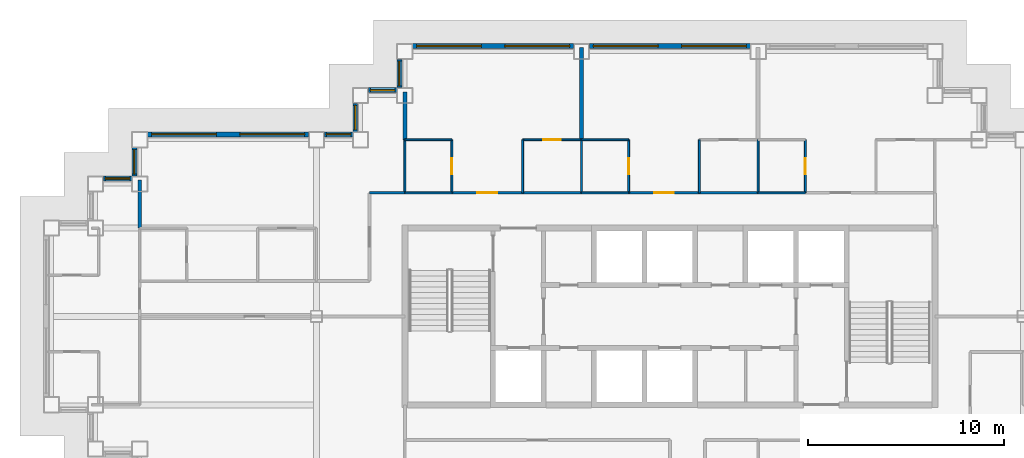
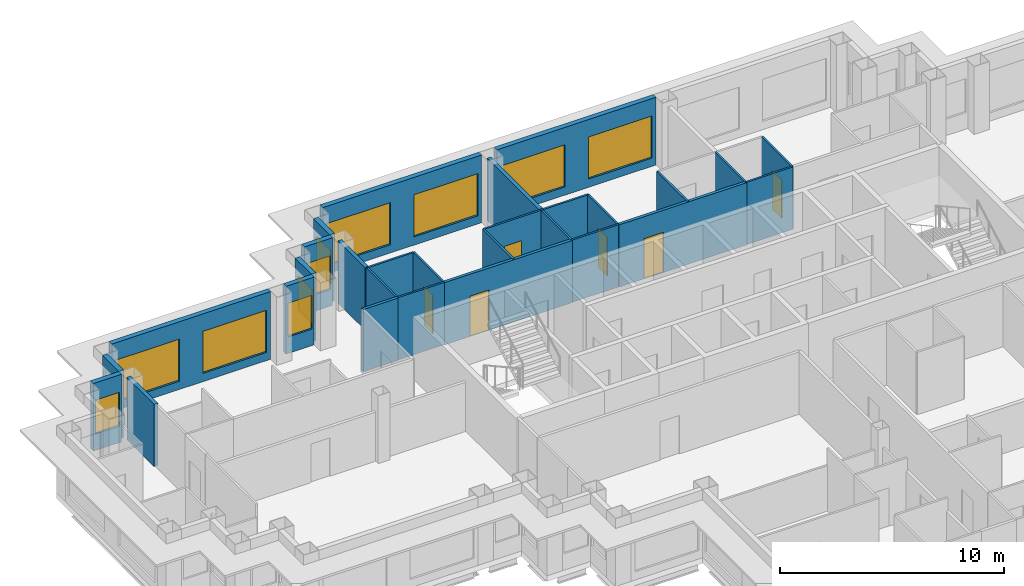
# One storey, part 8 of 13: 29 walls, 12 windows, 6 doors, 18 openings.
"""IFC4 building model written with IfcOpenShell, lengths in metres."""

import ifcopenshell
import ifcopenshell.guid

model = None  # the IFC model being written
_history = None  # IfcOwnerHistory: only IFC2X3 demands one
_inside = {}  # id of a spatial element -> (the spatial element, [elements in it])
_under = {}  # id of a project, library or spatial element -> (it, [spatial elements below it])
_declared = {}  # id of a project -> (the project, [libraries it declares])
_typed = {}  # id of a type object -> (the type object, [elements of that type])
_made_of = {}  # id of a material, layer set ... -> (it, [elements and type objects made of it])


def new_model(schema):
    """Start an empty IFC model of exactly this schema.

    Asked for "IFC4X3", IfcOpenShell would pick the latest addendum, in which some entities
    have other attributes; the version numbers below select the first issue.
    IFC2X3 requires an IfcOwnerHistory on every rooted entity: one is made here for all.
    """
    global model, _history
    if schema == "IFC4X3":
        model = ifcopenshell.file(schema_version=(4, 3, 0, 0))
    else:
        model = ifcopenshell.file(schema=schema)
    _inside.clear()
    _under.clear()
    _declared.clear()
    _typed.clear()
    _made_of.clear()
    _history = None
    if model.schema == "IFC2X3":
        org = make("IfcOrganization", Name="unknown")
        user = make(
            "IfcPersonAndOrganization",
            ThePerson=make("IfcPerson", FamilyName="unknown"),
            TheOrganization=org,
        )
        app = make(
            "IfcApplication",
            ApplicationDeveloper=org,
            Version="unknown",
            ApplicationFullName="unknown",
            ApplicationIdentifier="unknown",
        )
        _history = make(
            "IfcOwnerHistory",
            OwningUser=user,
            OwningApplication=app,
            ChangeAction="ADDED",
            CreationDate=0,
        )
    return model


def make(cls, **values):
    """One entity of the class cls with the attributes given. An attribute that is None is left unset."""
    return model.create_entity(
        cls, **{name: value for name, value in values.items() if value is not None}
    )


def rooted(cls, **values):
    """An entity with a GlobalId (a new one), such as an element, a storey or a relation."""
    return make(cls, GlobalId=ifcopenshell.guid.new(), OwnerHistory=_history, **values)


def si_unit(unit_type, name, prefix=None):
    """IfcSIUnit, for example si_unit("LENGTHUNIT", "METRE", prefix="MILLI")."""
    return make("IfcSIUnit", UnitType=unit_type, Prefix=prefix, Name=name)


def assignment(units):
    """IfcUnitAssignment: the units of a project."""
    return None if units is None else make("IfcUnitAssignment", Units=units)


def point(xyz):
    """IfcCartesianPoint."""
    return None if xyz is None else make("IfcCartesianPoint", Coordinates=xyz)


def direction(xyz):
    """IfcDirection."""
    return None if xyz is None else make("IfcDirection", DirectionRatios=xyz)


def frame(location, z_axis=None, x_axis=None):
    """IfcAxis2Placement3D, a coordinate frame: its origin and axes. An axis left out is left unset."""
    return make(
        "IfcAxis2Placement3D",
        Location=point(location),
        Axis=direction(z_axis),
        RefDirection=direction(x_axis),
    )


def frame_2d(location, x_axis=None):
    """IfcAxis2Placement2D, a coordinate frame in the plane: its origin and x axis."""
    return make(
        "IfcAxis2Placement2D", Location=point(location), RefDirection=direction(x_axis)
    )


def origin():
    """The frame at (0, 0, 0) with its axes left unset."""
    return frame((0.0, 0.0, 0.0))


def place(relative_to, where):
    """IfcLocalPlacement: puts the frame where relative to a parent placement (None: the world)."""
    return make(
        "IfcLocalPlacement", PlacementRelTo=relative_to, RelativePlacement=where
    )


def context(
    kind, dimensions, precision=None, world=None, true_north=None, identifier=None
):
    """IfcGeometricRepresentationContext, for example the 3D "Model" context."""
    return make(
        "IfcGeometricRepresentationContext",
        ContextIdentifier=identifier,
        ContextType=kind,
        CoordinateSpaceDimension=dimensions,
        Precision=precision,
        WorldCoordinateSystem=world,
        TrueNorth=true_north,
    )


def subcontext(parent, identifier, kind, view, scale=None):
    """IfcGeometricRepresentationSubContext, for example "Body" below "Model"."""
    return make(
        "IfcGeometricRepresentationSubContext",
        ContextIdentifier=identifier,
        ContextType=kind,
        ParentContext=parent,
        TargetScale=scale,
        TargetView=view,
    )


def project(units=None, contexts=None):
    """IfcProject with its units and contexts."""
    return rooted(
        "IfcProject",
        Name="project",
        RepresentationContexts=contexts,
        UnitsInContext=assignment(units),
    )


def spatial(cls, under=None, at=None, **own):
    """A site, building, storey or space (cls), placed at a placement, below another one or the project."""
    s = rooted(cls, ObjectPlacement=at, **own)
    if under is not None:
        _under.setdefault(under.id(), (under, []))[1].append(s)
    return s


def profile(cls, at=None, kind="AREA", **sizes):
    """A parametric profile (cls). Its sizes go by their IFC names, for example OverallWidth=200.0."""
    return make(cls, ProfileType=kind, Position=at, **sizes)


def rectangle(**sizes):
    """IfcRectangleProfileDef."""
    return profile("IfcRectangleProfileDef", **sizes)


def extrude(swept, where, along, depth):
    """IfcExtrudedAreaSolid: the profile swept, set in the frame where, extruded along a direction by depth."""
    return make(
        "IfcExtrudedAreaSolid",
        SweptArea=swept,
        Position=where,
        ExtrudedDirection=direction(along),
        Depth=depth,
    )


def shape(context_of_items, identifier, shape_type, items):
    """IfcShapeRepresentation: the items that make up one representation, for example the "Body"."""
    return make(
        "IfcShapeRepresentation",
        ContextOfItems=context_of_items,
        RepresentationIdentifier=identifier,
        RepresentationType=shape_type,
        Items=items,
    )


def material(Name=None, Category=None):
    """IfcMaterial."""
    return make("IfcMaterial", Name=Name, Category=Category)


def layer(
    of_material, thickness, ventilated=None, Name=None, Category=None, Priority=None
):
    """IfcMaterialLayer: one layer of a wall or slab, of a material (None: an air gap)."""
    return make(
        "IfcMaterialLayer",
        Material=of_material,
        LayerThickness=thickness,
        IsVentilated=ventilated,
        Name=Name,
        Category=Category,
        Priority=Priority,
    )


def layer_set(layers, Name=None):
    """IfcMaterialLayerSet."""
    return make("IfcMaterialLayerSet", MaterialLayers=layers, LayerSetName=Name)


def made_of(thing, what):
    """Note that an element or type object is made of a material, layer set ...; save() writes the relation."""
    if what is not None:
        _made_of.setdefault(what.id(), (what, []))[1].append(thing)
    return thing


def type_object(cls, material=None, **own):
    """A type object (cls), such as IfcWallType, which elements share."""
    return made_of(rooted(cls, **own), material)


def element(
    cls,
    number,
    at=None,
    inside=None,
    cuts=None,
    type_object=None,
    material=None,
    context=None,
    identifier="Body",
    shape_type=None,
    held_by="IfcProductDefinitionShape",
    body=None,
    shapes=None,
    **own,
):
    """One element of the class cls, such as IfcWall. Its Tag is "e" and its number.

    at: its placement. inside: the storey or other place that contains it. cuts: it is an
    opening in that element (IfcRelVoidsElement). A single representation is given by context,
    identifier, shape_type and body (its items); several are given by shapes. held_by: the class
    of the entity that holds the representations. save() writes the other relations.
    """
    e = rooted(cls, Tag="e%d" % number, ObjectPlacement=at, **own)
    if body is not None:
        shapes = [shape(context, identifier, shape_type, body)]
    if shapes is not None:
        e.Representation = make(held_by, Representations=shapes)
    if inside is not None:
        _inside.setdefault(inside.id(), (inside, []))[1].append(e)
    if cuts is not None:
        rooted(
            "IfcRelVoidsElement", RelatingBuildingElement=cuts, RelatedOpeningElement=e
        )
    if type_object is not None:
        _typed.setdefault(type_object.id(), (type_object, []))[1].append(e)
    return made_of(e, material)


def fill(opening, filler):
    """IfcRelFillsElement: the door or window that sits in an opening."""
    return rooted(
        "IfcRelFillsElement",
        RelatingOpeningElement=opening,
        RelatedBuildingElement=filler,
    )


def aggregate(whole, parts):
    """IfcRelAggregates: a whole, such as a stair, and the parts it consists of."""
    return rooted("IfcRelAggregates", RelatingObject=whole, RelatedObjects=parts)


def save(model, path):
    """Write the relations noted so far, then the file.

    IfcRelAggregates (storeys below a building ...), IfcRelContainedInSpatialStructure (elements
    in a storey), IfcRelDefinesByType, IfcRelAssociatesMaterial and IfcRelDeclares: one each for
    every whole, place, type object, material and project.
    """
    for whole, parts in _under.values():
        aggregate(whole, parts)
    for where, things in _inside.values():
        rooted(
            "IfcRelContainedInSpatialStructure",
            RelatedElements=things,
            RelatingStructure=where,
        )
    for kind, things in _typed.values():
        rooted("IfcRelDefinesByType", RelatedObjects=things, RelatingType=kind)
    for what, things in _made_of.values():
        rooted("IfcRelAssociatesMaterial", RelatedObjects=things, RelatingMaterial=what)
    for by, libraries in _declared.values():
        rooted("IfcRelDeclares", RelatingContext=by, RelatedDefinitions=libraries)
    model.write(path)


model = new_model("IFC4")

# Units and contexts
model_context = context("Model", 3, precision=1e-05, world=origin(), true_north=direction((0.0, 1.0)))
body_context = subcontext(model_context, "Body", "Model", "MODEL_VIEW")
ifc_project = project(units=[si_unit("LENGTHUNIT", "METRE"), si_unit("AREAUNIT", "SQUARE_METRE"), si_unit("VOLUMEUNIT", "CUBIC_METRE"), si_unit("PLANEANGLEUNIT", "RADIAN"), si_unit("MASSUNIT", "GRAM", prefix="KILO")], contexts=[model_context])

# Site, building, storey
site_placement = place(None, origin())
site = spatial("IfcSite", under=ifc_project, at=site_placement, CompositionType="ELEMENT")
building_placement = place(site_placement, origin())
building = spatial("IfcBuilding", under=site, at=building_placement, Name="Caravel Reach Hotel and Residences", CompositionType="ELEMENT")
storey_placement = place(building_placement, frame((0.0, 0.0, 154.300048828125)))
storey = spatial("IfcBuildingStorey", under=building, at=storey_placement, Name="L38", CompositionType="ELEMENT", Elevation=154.300048828125)

# Walls
ifc_material_1 = material(Name="Gypsum board on steel stud", Category="steel")
ifc_layer_1 = layer(ifc_material_1, 0.10009765625)
ifc_layer_set_1 = layer_set([ifc_layer_1], Name="Bathroom pod wall 100 mm")
wall_type_1 = type_object("IfcWallType", Name="Bathroom pod wall 100 mm", PredefinedType="PARTITIONING", material=ifc_layer_set_1)
for number, where, z_axis, x_axis, name in (
    (1, (18.0, 33.300048828125, 0.0), (0.0, 0.0, 1.0), (1.0, 0.0, 0.0), "L38 wall w089"),
    (2, (27.0, 33.300048828125, 0.0), (0.0, 0.0, 1.0), (1.0, 0.0, 0.0), "L38 wall w090"),
    (3, (36.0, 33.300048828125, 0.0), (0.0, 0.0, 1.0), (1.0, 0.0, 0.0), "L38 wall w091"),
    (4, (18.0, 36.0, 0.0), (0.0, 0.0, 1.0), (1.0, 0.0, 0.0), "L38 wall w092"),
    (5, (27.0, 36.0, 0.0), (0.0, 0.0, 1.0), (1.0, 0.0, 0.0), "L38 wall w093"),
):
    element("IfcWall", number, at=place(storey_placement, frame(where, z_axis=z_axis, x_axis=x_axis)), inside=storey, type_object=wall_type_1, Name=name, PredefinedType="PARTITIONING", context=body_context, shape_type="SweptSolid", body=[
        extrude(rectangle(XDim=2.39990234375, YDim=0.10009765625, at=frame_2d((1.199951171875, 0.0))), origin(), (0.0, 0.0, 1.0), 3.39990234375),
    ])
wall_1_placement = place(storey_placement, frame((18.0, 33.301025390625, 0.0), z_axis=(0.0, 0.0, 1.0), x_axis=(0.0, 1.0, 0.0)))
element("IfcWall", 6, at=wall_1_placement, inside=storey, type_object=wall_type_1, Name="L38 wall w097", PredefinedType="PARTITIONING", context=body_context, shape_type="SweptSolid", body=[
    extrude(rectangle(XDim=2.698974609375, YDim=0.10009765625, at=frame_2d((1.349609375, 0.0))), origin(), (0.0, 0.0, 1.0), 3.39990234375),
])

# Wall, opening, door
wall_2_placement = place(storey_placement, frame((20.39990234375, 33.300048828125, 0.0), z_axis=(0.0, 0.0, 1.0), x_axis=(0.0, 1.0, 0.0)))
wall_2 = element("IfcWall", 7, at=wall_2_placement, inside=storey, type_object=wall_type_1, Name="L38 wall w099", PredefinedType="PARTITIONING", context=body_context, shape_type="SweptSolid", body=[
    extrude(rectangle(XDim=2.699951171875, YDim=0.10009765625, at=frame_2d((1.35009765625, 0.0))), origin(), (0.0, 0.0, 1.0), 3.39990234375),
])
opening_1_placement = place(wall_2_placement, frame((0.949951171875, 0.0, 0.0)))
opening_1 = element("IfcOpeningElement", 8, at=opening_1_placement, cuts=wall_2, Name="Opening D38-018", PredefinedType="OPENING", context=body_context, shape_type="SweptSolid", body=[
    extrude(rectangle(XDim=0.800048828125, YDim=2.10009765625, at=frame_2d((0.39990234375, 1.050048828125))), frame((0.0, 0.06005859375, 0.0), z_axis=(0.0, -1.0, 0.0), x_axis=(1.0, 0.0, 0.0)), (0.0, 0.0, 1.0), 0.1201171875),
])
ifc_material_2 = material(Name="Timber and steel door leaf", Category="steel")
door_type_1 = type_object("IfcDoorType", Name="Bathroom door 800 x 2100", OperationType="SINGLE_SWING_LEFT", PredefinedType="DOOR", material=ifc_material_2)
door_1_placement = place(opening_1_placement, origin())
door_1 = element("IfcDoor", 9, at=door_1_placement, inside=storey, type_object=door_type_1, Name="door D38-018", OperationType="SINGLE_SWING_LEFT", OverallHeight=2.10009765625, OverallWidth=0.800048828125, PredefinedType="DOOR", context=body_context, shape_type="SweptSolid", body=[
    extrude(rectangle(XDim=0.800048828125, YDim=2.10009765625, at=frame_2d((0.39990234375, 1.050048828125))), frame((0.0, 0.02490234375, 0.0), z_axis=(0.0, -1.0, 0.0), x_axis=(1.0, 0.0, 0.0)), (0.0, 0.0, 1.0), 0.050048828125),
])
fill(opening_1, door_1)

# Wall
wall_3_placement = place(storey_placement, frame((27.0, 33.300048828125, 0.0), z_axis=(0.0, 0.0, 1.0), x_axis=(0.0, 1.0, 0.0)))
element("IfcWall", 10, at=wall_3_placement, inside=storey, type_object=wall_type_1, Name="L38 wall w100", PredefinedType="PARTITIONING", context=body_context, shape_type="SweptSolid", body=[
    extrude(rectangle(XDim=2.699951171875, YDim=0.10009765625, at=frame_2d((1.35009765625, 0.0))), origin(), (0.0, 0.0, 1.0), 3.39990234375),
])

# Wall, opening, door
wall_4_placement = place(storey_placement, frame((29.39990234375, 33.300048828125, 0.0), z_axis=(0.0, 0.0, 1.0), x_axis=(0.0, 1.0, 0.0)))
wall_4 = element("IfcWall", 11, at=wall_4_placement, inside=storey, type_object=wall_type_1, Name="L38 wall w102", PredefinedType="PARTITIONING", context=body_context, shape_type="SweptSolid", body=[
    extrude(rectangle(XDim=2.699951171875, YDim=0.10009765625, at=frame_2d((1.35009765625, 0.0))), origin(), (0.0, 0.0, 1.0), 3.39990234375),
])
opening_2_placement = place(wall_4_placement, frame((0.949951171875, 0.0, 0.0)))
opening_2 = element("IfcOpeningElement", 12, at=opening_2_placement, cuts=wall_4, Name="Opening D38-021", PredefinedType="OPENING", context=body_context, shape_type="SweptSolid", body=[
    extrude(rectangle(XDim=0.800048828125, YDim=2.10009765625, at=frame_2d((0.39990234375, 1.050048828125))), frame((0.0, 0.06005859375, 0.0), z_axis=(0.0, -1.0, 0.0), x_axis=(1.0, 0.0, 0.0)), (0.0, 0.0, 1.0), 0.1201171875),
])
door_2_placement = place(opening_2_placement, origin())
door_2 = element("IfcDoor", 13, at=door_2_placement, inside=storey, type_object=door_type_1, Name="door D38-021", OperationType="SINGLE_SWING_RIGHT", OverallHeight=2.10009765625, OverallWidth=0.800048828125, PredefinedType="DOOR", context=body_context, shape_type="SweptSolid", body=[
    extrude(rectangle(XDim=0.800048828125, YDim=2.10009765625, at=frame_2d((0.39990234375, 1.050048828125))), frame((0.0, 0.02490234375, 0.0), z_axis=(0.0, -1.0, 0.0), x_axis=(1.0, 0.0, 0.0)), (0.0, 0.0, 1.0), 0.050048828125),
])
fill(opening_2, door_2)

# Wall
wall_5_placement = place(storey_placement, frame((36.0, 33.300048828125, 0.0), z_axis=(0.0, 0.0, 1.0), x_axis=(0.0, 1.0, 0.0)))
element("IfcWall", 14, at=wall_5_placement, inside=storey, type_object=wall_type_1, Name="L38 wall w105", PredefinedType="PARTITIONING", context=body_context, shape_type="SweptSolid", body=[
    extrude(rectangle(XDim=2.699951171875, YDim=0.10009765625, at=frame_2d((1.35009765625, 0.0))), origin(), (0.0, 0.0, 1.0), 3.39990234375),
])

# Wall, opening, door
wall_6_placement = place(storey_placement, frame((38.39990234375, 33.300048828125, 0.0), z_axis=(0.0, 0.0, 1.0), x_axis=(0.0, 1.0, 0.0)))
wall_6 = element("IfcWall", 15, at=wall_6_placement, inside=storey, type_object=wall_type_1, Name="L38 wall w108", PredefinedType="PARTITIONING", context=body_context, shape_type="SweptSolid", body=[
    extrude(rectangle(XDim=2.699951171875, YDim=0.10009765625, at=frame_2d((1.35009765625, 0.0))), origin(), (0.0, 0.0, 1.0), 3.39990234375),
])
opening_3_placement = place(wall_6_placement, frame((0.949951171875, 0.0, 0.0)))
opening_3 = element("IfcOpeningElement", 16, at=opening_3_placement, cuts=wall_6, Name="Opening D38-024", PredefinedType="OPENING", context=body_context, shape_type="SweptSolid", body=[
    extrude(rectangle(XDim=0.800048828125, YDim=2.10009765625, at=frame_2d((0.39990234375, 1.050048828125))), frame((0.0, 0.06005859375, 0.0), z_axis=(0.0, -1.0, 0.0), x_axis=(1.0, 0.0, 0.0)), (0.0, 0.0, 1.0), 0.1201171875),
])
door_3_placement = place(opening_3_placement, origin())
door_3 = element("IfcDoor", 17, at=door_3_placement, inside=storey, type_object=door_type_1, Name="door D38-024", OperationType="SINGLE_SWING_RIGHT", OverallHeight=2.10009765625, OverallWidth=0.800048828125, PredefinedType="DOOR", context=body_context, shape_type="SweptSolid", body=[
    extrude(rectangle(XDim=0.800048828125, YDim=2.10009765625, at=frame_2d((0.39990234375, 1.050048828125))), frame((0.0, 0.02490234375, 0.0), z_axis=(0.0, -1.0, 0.0), x_axis=(1.0, 0.0, 0.0)), (0.0, 0.0, 1.0), 0.050048828125),
])
fill(opening_3, door_3)

ifc_material_3 = material(Name="Gypsum board on steel stud, fire-rated", Category="steel")
ifc_layer_2 = layer(ifc_material_3, 0.14990234375)
ifc_layer_set_2 = layer_set([ifc_layer_2], Name="Corridor wall 150 mm EI 60")
wall_type_2 = type_object("IfcWallType", Name="Corridor wall 150 mm EI 60", PredefinedType="PARTITIONING", material=ifc_layer_set_2)
wall_7_placement = place(storey_placement, frame((20.39990234375, 33.300048828125, 0.0), z_axis=(0.0, 0.0, 1.0), x_axis=(1.0, 0.0, 0.0)))
wall_7 = element("IfcWall", 18, at=wall_7_placement, inside=storey, type_object=wall_type_2, Name="L38 wall w014", PredefinedType="PARTITIONING", context=body_context, shape_type="SweptSolid", body=[
    extrude(rectangle(XDim=6.60009765625, YDim=0.14990234375, at=frame_2d((3.300048828125, 0.0))), origin(), (0.0, 0.0, 1.0), 3.39990234375),
])
opening_4_placement = place(wall_7_placement, frame((1.300048828125, 0.0, 0.0)))
opening_4 = element("IfcOpeningElement", 19, at=opening_4_placement, cuts=wall_7, Name="Opening D38-017", PredefinedType="OPENING", context=body_context, shape_type="SweptSolid", body=[
    extrude(rectangle(XDim=1.0, YDim=2.199951171875, at=frame_2d((0.5, 1.10009765625))), frame((0.0, 0.0849609375, 0.0), z_axis=(0.0, -1.0, 0.0), x_axis=(1.0, 0.0, 0.0)), (0.0, 0.0, 1.0), 0.169921875),
])
ifc_material_4 = material(Name="Steel fire door leaf", Category="steel")
door_type_2 = type_object("IfcDoorType", Name="Flat entrance door 1000 x 2200 EI 60", OperationType="SINGLE_SWING_LEFT", PredefinedType="DOOR", material=ifc_material_4)
door_4_placement = place(opening_4_placement, origin())
door_4 = element("IfcDoor", 20, at=door_4_placement, inside=storey, type_object=door_type_2, Name="door D38-017", OperationType="SINGLE_SWING_LEFT", OverallHeight=2.199951171875, OverallWidth=1.0, PredefinedType="DOOR", context=body_context, shape_type="SweptSolid", body=[
    extrude(rectangle(XDim=1.0, YDim=2.199951171875, at=frame_2d((0.5, 1.10009765625))), frame((0.0, 0.02490234375, 0.0), z_axis=(0.0, -1.0, 0.0), x_axis=(1.0, 0.0, 0.0)), (0.0, 0.0, 1.0), 0.050048828125),
])
fill(opening_4, door_4)

wall_8_placement = place(storey_placement, frame((29.39990234375, 33.300048828125, 0.0), z_axis=(0.0, 0.0, 1.0), x_axis=(1.0, 0.0, 0.0)))
wall_8 = element("IfcWall", 21, at=wall_8_placement, inside=storey, type_object=wall_type_2, Name="L38 wall w016", PredefinedType="PARTITIONING", context=body_context, shape_type="SweptSolid", body=[
    extrude(rectangle(XDim=6.60009765625, YDim=0.14990234375, at=frame_2d((3.300048828125, 0.0))), origin(), (0.0, 0.0, 1.0), 3.39990234375),
])
opening_5_placement = place(wall_8_placement, frame((1.300048828125, 0.0, 0.0)))
opening_5 = element("IfcOpeningElement", 22, at=opening_5_placement, cuts=wall_8, Name="Opening D38-020", PredefinedType="OPENING", context=body_context, shape_type="SweptSolid", body=[
    extrude(rectangle(XDim=1.0, YDim=2.199951171875, at=frame_2d((0.5, 1.10009765625))), frame((0.0, 0.0849609375, 0.0), z_axis=(0.0, -1.0, 0.0), x_axis=(1.0, 0.0, 0.0)), (0.0, 0.0, 1.0), 0.169921875),
])
door_5_placement = place(opening_5_placement, origin())
door_5 = element("IfcDoor", 23, at=door_5_placement, inside=storey, type_object=door_type_2, Name="door D38-020", OperationType="SINGLE_SWING_LEFT", OverallHeight=2.199951171875, OverallWidth=1.0, PredefinedType="DOOR", context=body_context, shape_type="SweptSolid", body=[
    extrude(rectangle(XDim=1.0, YDim=2.199951171875, at=frame_2d((0.5, 1.10009765625))), frame((0.0, 0.02490234375, 0.0), z_axis=(0.0, -1.0, 0.0), x_axis=(1.0, 0.0, 0.0)), (0.0, 0.0, 1.0), 0.050048828125),
])
fill(opening_5, door_5)

# Wall
wall_9_placement = place(storey_placement, frame((16.199951171875, 33.300048828125, 0.0), z_axis=(0.0, 0.0, 1.0), x_axis=(1.0, 0.0, 0.0)))
element("IfcWall", 24, at=wall_9_placement, inside=storey, type_object=wall_type_2, Name="L38 wall w020", PredefinedType="PARTITIONING", context=body_context, shape_type="SweptSolid", body=[
    extrude(rectangle(XDim=1.799072265625, YDim=0.14990234375, at=frame_2d((0.8994140625, 0.0))), origin(), (0.0, 0.0, 1.0), 3.39990234375),
])

# Wall, openings, windows
ifc_material_5 = material(Name="Insulated rainscreen wall, aluminium cladding", Category="aluminium")
ifc_layer_3 = layer(ifc_material_5, 0.25)
ifc_layer_set_3 = layer_set([ifc_layer_3], Name="EW1 Tower rainscreen wall")
wall_type_3 = type_object("IfcWallType", Name="EW1 Tower rainscreen wall", PredefinedType="SOLIDWALL", material=ifc_layer_set_3)
wall_10_placement = place(storey_placement, frame((35.60009765625, 40.77490234375, 0.0), z_axis=(0.0, 0.0, 1.0), x_axis=(-1.0, 0.0, 0.0)))
wall_10 = element("IfcWall", 25, at=wall_10_placement, inside=storey, type_object=wall_type_3, Name="External wall L38 N29.2", PredefinedType="SOLIDWALL", context=body_context, shape_type="SweptSolid", body=[
    extrude(rectangle(XDim=8.2001953125, YDim=0.25, at=frame_2d((4.10009765625, 0.0))), origin(), (0.0, 0.0, 1.0), 3.699951171875),
])
opening_6_placement = place(wall_10_placement, frame((0.199951171875, 0.0, 0.449951171875)))
opening_6 = element("IfcOpeningElement", 26, at=opening_6_placement, cuts=wall_10, Name="Opening WN15", PredefinedType="OPENING", context=body_context, shape_type="SweptSolid", body=[
    extrude(rectangle(XDim=3.300048828125, YDim=2.300048828125, at=frame_2d((1.64990234375, 1.14990234375))), frame((0.0, 0.135009765625, 0.0), z_axis=(0.0, -1.0, 0.0), x_axis=(1.0, 0.0, 0.0)), (0.0, 0.0, 1.0), 0.27001953125),
])
opening_7_placement = place(wall_10_placement, frame((4.699951171875, 0.0, 0.449951171875)))
opening_7 = element("IfcOpeningElement", 27, at=opening_7_placement, cuts=wall_10, Name="Opening WN15", PredefinedType="OPENING", context=body_context, shape_type="SweptSolid", body=[
    extrude(rectangle(XDim=3.300048828125, YDim=2.300048828125, at=frame_2d((1.64990234375, 1.14990234375))), frame((0.0, 0.135009765625, 0.0), z_axis=(0.0, -1.0, 0.0), x_axis=(1.0, 0.0, 0.0)), (0.0, 0.0, 1.0), 0.27001953125),
])
ifc_material_6 = material(Name="Dark low-e glazing in black aluminium frame", Category="aluminium")
window_type_1 = type_object("IfcWindowType", Name="Residence living window 3300 x 2300", PartitioningType="SINGLE_PANEL", PredefinedType="WINDOW", material=ifc_material_6)
window_1_placement = place(opening_6_placement, origin())
window_1 = element("IfcWindow", 28, at=window_1_placement, inside=storey, type_object=window_type_1, Name="Window L38 N29.2.1", OverallHeight=2.300048828125, OverallWidth=3.300048828125, PartitioningType="SINGLE_PANEL", PredefinedType="WINDOW", context=body_context, shape_type="SweptSolid", body=[
    extrude(rectangle(XDim=3.300048828125, YDim=2.300048828125, at=frame_2d((1.64990234375, 1.14990234375))), frame((0.0, 0.030029296875, 0.0), z_axis=(0.0, -1.0, 0.0), x_axis=(1.0, 0.0, 0.0)), (0.0, 0.0, 1.0), 0.06005859375),
])
fill(opening_6, window_1)
window_2_placement = place(opening_7_placement, origin())
window_2 = element("IfcWindow", 29, at=window_2_placement, inside=storey, type_object=window_type_1, Name="Window L38 N29.2.2", OverallHeight=2.300048828125, OverallWidth=3.300048828125, PartitioningType="SINGLE_PANEL", PredefinedType="WINDOW", context=body_context, shape_type="SweptSolid", body=[
    extrude(rectangle(XDim=3.300048828125, YDim=2.300048828125, at=frame_2d((1.64990234375, 1.14990234375))), frame((0.0, 0.030029296875, 0.0), z_axis=(0.0, -1.0, 0.0), x_axis=(1.0, 0.0, 0.0)), (0.0, 0.0, 1.0), 0.06005859375),
])
fill(opening_7, window_2)

wall_11_placement = place(storey_placement, frame((26.60009765625, 40.77490234375, 0.0), z_axis=(0.0, 0.0, 1.0), x_axis=(-1.0, 0.0, 0.0)))
wall_11 = element("IfcWall", 30, at=wall_11_placement, inside=storey, type_object=wall_type_3, Name="External wall L38 N29.3", PredefinedType="SOLIDWALL", context=body_context, shape_type="SweptSolid", body=[
    extrude(rectangle(XDim=8.2001953125, YDim=0.25, at=frame_2d((4.10009765625, 0.0))), origin(), (0.0, 0.0, 1.0), 3.699951171875),
])
opening_8_placement = place(wall_11_placement, frame((0.199951171875, 0.0, 0.449951171875)))
opening_8 = element("IfcOpeningElement", 31, at=opening_8_placement, cuts=wall_11, Name="Opening WN15", PredefinedType="OPENING", context=body_context, shape_type="SweptSolid", body=[
    extrude(rectangle(XDim=3.300048828125, YDim=2.300048828125, at=frame_2d((1.64990234375, 1.14990234375))), frame((0.0, 0.135009765625, 0.0), z_axis=(0.0, -1.0, 0.0), x_axis=(1.0, 0.0, 0.0)), (0.0, 0.0, 1.0), 0.27001953125),
])
opening_9_placement = place(wall_11_placement, frame((4.699951171875, 0.0, 0.449951171875)))
opening_9 = element("IfcOpeningElement", 32, at=opening_9_placement, cuts=wall_11, Name="Opening WN15", PredefinedType="OPENING", context=body_context, shape_type="SweptSolid", body=[
    extrude(rectangle(XDim=3.300048828125, YDim=2.300048828125, at=frame_2d((1.64990234375, 1.14990234375))), frame((0.0, 0.135009765625, 0.0), z_axis=(0.0, -1.0, 0.0), x_axis=(1.0, 0.0, 0.0)), (0.0, 0.0, 1.0), 0.27001953125),
])
window_3_placement = place(opening_8_placement, origin())
window_3 = element("IfcWindow", 33, at=window_3_placement, inside=storey, type_object=window_type_1, Name="Window L38 N29.3.1", OverallHeight=2.300048828125, OverallWidth=3.300048828125, PartitioningType="SINGLE_PANEL", PredefinedType="WINDOW", context=body_context, shape_type="SweptSolid", body=[
    extrude(rectangle(XDim=3.300048828125, YDim=2.300048828125, at=frame_2d((1.64990234375, 1.14990234375))), frame((0.0, 0.030029296875, 0.0), z_axis=(0.0, -1.0, 0.0), x_axis=(1.0, 0.0, 0.0)), (0.0, 0.0, 1.0), 0.06005859375),
])
fill(opening_8, window_3)
window_4_placement = place(opening_9_placement, origin())
window_4 = element("IfcWindow", 34, at=window_4_placement, inside=storey, type_object=window_type_1, Name="Window L38 N29.3.2", OverallHeight=2.300048828125, OverallWidth=3.300048828125, PartitioningType="SINGLE_PANEL", PredefinedType="WINDOW", context=body_context, shape_type="SweptSolid", body=[
    extrude(rectangle(XDim=3.300048828125, YDim=2.300048828125, at=frame_2d((1.64990234375, 1.14990234375))), frame((0.0, 0.030029296875, 0.0), z_axis=(0.0, -1.0, 0.0), x_axis=(1.0, 0.0, 0.0)), (0.0, 0.0, 1.0), 0.06005859375),
])
fill(opening_9, window_4)

# Wall, opening, window
wall_12_placement = place(storey_placement, frame((17.72509765625, 40.10009765625, 0.0), z_axis=(0.0, 0.0, 1.0), x_axis=(0.0, -1.0, 0.0)))
wall_12 = element("IfcWall", 35, at=wall_12_placement, inside=storey, type_object=wall_type_3, Name="External wall L38 W30.1", PredefinedType="SOLIDWALL", context=body_context, shape_type="SweptSolid", body=[
    extrude(rectangle(XDim=1.4501953125, YDim=0.25, at=frame_2d((0.72509765625, 0.0))), origin(), (0.0, 0.0, 1.0), 3.699951171875),
])
opening_10_placement = place(wall_12_placement, frame((0.10009765625, 0.0, 0.89990234375)))
opening_10 = element("IfcOpeningElement", 36, at=opening_10_placement, cuts=wall_12, Name="Opening WN13", PredefinedType="OPENING", context=body_context, shape_type="SweptSolid", body=[
    extrude(rectangle(XDim=1.25, YDim=1.85009765625, at=frame_2d((0.625, 0.925048828125))), frame((0.0, 0.135009765625, 0.0), z_axis=(0.0, -1.0, 0.0), x_axis=(1.0, 0.0, 0.0)), (0.0, 0.0, 1.0), 0.27001953125),
])
ifc_material_7 = material(Name="Dark low-e glazing in black aluminium frame", Category="aluminium")
window_type_2 = type_object("IfcWindowType", Name="Residence bedroom window 1250 x 1850", PartitioningType="SINGLE_PANEL", PredefinedType="WINDOW", material=ifc_material_7)
window_5_placement = place(opening_10_placement, origin())
window_5 = element("IfcWindow", 37, at=window_5_placement, inside=storey, type_object=window_type_2, Name="Window L38 W30.1.1", OverallHeight=1.85009765625, OverallWidth=1.25, PartitioningType="SINGLE_PANEL", PredefinedType="WINDOW", context=body_context, shape_type="SweptSolid", body=[
    extrude(rectangle(XDim=1.25, YDim=1.85009765625, at=frame_2d((0.625, 0.925048828125))), frame((0.0, 0.030029296875, 0.0), z_axis=(0.0, -1.0, 0.0), x_axis=(1.0, 0.0, 0.0)), (0.0, 0.0, 1.0), 0.06005859375),
])
fill(opening_10, window_5)

wall_13_placement = place(storey_placement, frame((17.60009765625, 38.52490234375, 0.0), z_axis=(0.0, 0.0, 1.0), x_axis=(-1.0, 0.0, 0.0)))
wall_13 = element("IfcWall", 38, at=wall_13_placement, inside=storey, type_object=wall_type_3, Name="External wall L38 N31.1", PredefinedType="SOLIDWALL", context=body_context, shape_type="SweptSolid", body=[
    extrude(rectangle(XDim=1.4501953125, YDim=0.25, at=frame_2d((0.72509765625, 0.0))), origin(), (0.0, 0.0, 1.0), 3.699951171875),
])
opening_11_placement = place(wall_13_placement, frame((0.10009765625, 0.0, 0.89990234375)))
opening_11 = element("IfcOpeningElement", 39, at=opening_11_placement, cuts=wall_13, Name="Opening WN13", PredefinedType="OPENING", context=body_context, shape_type="SweptSolid", body=[
    extrude(rectangle(XDim=1.25, YDim=1.85009765625, at=frame_2d((0.625, 0.925048828125))), frame((0.0, 0.135009765625, 0.0), z_axis=(0.0, -1.0, 0.0), x_axis=(1.0, 0.0, 0.0)), (0.0, 0.0, 1.0), 0.27001953125),
])
window_6_placement = place(opening_11_placement, origin())
window_6 = element("IfcWindow", 40, at=window_6_placement, inside=storey, type_object=window_type_2, Name="Window L38 N31.1.1", OverallHeight=1.85009765625, OverallWidth=1.25, PartitioningType="SINGLE_PANEL", PredefinedType="WINDOW", context=body_context, shape_type="SweptSolid", body=[
    extrude(rectangle(XDim=1.25, YDim=1.85009765625, at=frame_2d((0.625, 0.925048828125))), frame((0.0, 0.030029296875, 0.0), z_axis=(0.0, -1.0, 0.0), x_axis=(1.0, 0.0, 0.0)), (0.0, 0.0, 1.0), 0.06005859375),
])
fill(opening_11, window_6)

wall_14_placement = place(storey_placement, frame((15.47509765625, 37.85009765625, 0.0), z_axis=(0.0, 0.0, 1.0), x_axis=(0.0, -1.0, 0.0)))
wall_14 = element("IfcWall", 41, at=wall_14_placement, inside=storey, type_object=wall_type_3, Name="External wall L38 W32.1", PredefinedType="SOLIDWALL", context=body_context, shape_type="SweptSolid", body=[
    extrude(rectangle(XDim=1.4501953125, YDim=0.25, at=frame_2d((0.72509765625, 0.0))), origin(), (0.0, 0.0, 1.0), 3.699951171875),
])
opening_12_placement = place(wall_14_placement, frame((0.10009765625, 0.0, 0.89990234375)))
opening_12 = element("IfcOpeningElement", 42, at=opening_12_placement, cuts=wall_14, Name="Opening WN13", PredefinedType="OPENING", context=body_context, shape_type="SweptSolid", body=[
    extrude(rectangle(XDim=1.25, YDim=1.85009765625, at=frame_2d((0.625, 0.925048828125))), frame((0.0, 0.135009765625, 0.0), z_axis=(0.0, -1.0, 0.0), x_axis=(1.0, 0.0, 0.0)), (0.0, 0.0, 1.0), 0.27001953125),
])
window_7_placement = place(opening_12_placement, origin())
window_7 = element("IfcWindow", 43, at=window_7_placement, inside=storey, type_object=window_type_2, Name="Window L38 W32.1.1", OverallHeight=1.85009765625, OverallWidth=1.25, PartitioningType="SINGLE_PANEL", PredefinedType="WINDOW", context=body_context, shape_type="SweptSolid", body=[
    extrude(rectangle(XDim=1.25, YDim=1.85009765625, at=frame_2d((0.625, 0.925048828125))), frame((0.0, 0.030029296875, 0.0), z_axis=(0.0, -1.0, 0.0), x_axis=(1.0, 0.0, 0.0)), (0.0, 0.0, 1.0), 0.06005859375),
])
fill(opening_12, window_7)

wall_15_placement = place(storey_placement, frame((15.35009765625, 36.27490234375, 0.0), z_axis=(0.0, 0.0, 1.0), x_axis=(-1.0, 0.0, 0.0)))
wall_15 = element("IfcWall", 44, at=wall_15_placement, inside=storey, type_object=wall_type_3, Name="External wall L38 N33.1", PredefinedType="SOLIDWALL", context=body_context, shape_type="SweptSolid", body=[
    extrude(rectangle(XDim=1.4501953125, YDim=0.25, at=frame_2d((0.72509765625, 0.0))), origin(), (0.0, 0.0, 1.0), 3.699951171875),
])
opening_13_placement = place(wall_15_placement, frame((0.10009765625, 0.0, 0.89990234375)))
opening_13 = element("IfcOpeningElement", 45, at=opening_13_placement, cuts=wall_15, Name="Opening WN13", PredefinedType="OPENING", context=body_context, shape_type="SweptSolid", body=[
    extrude(rectangle(XDim=1.25, YDim=1.85009765625, at=frame_2d((0.625, 0.925048828125))), frame((0.0, 0.135009765625, 0.0), z_axis=(0.0, -1.0, 0.0), x_axis=(1.0, 0.0, 0.0)), (0.0, 0.0, 1.0), 0.27001953125),
])
window_8_placement = place(opening_13_placement, origin())
window_8 = element("IfcWindow", 46, at=window_8_placement, inside=storey, type_object=window_type_2, Name="Window L38 N33.1.1", OverallHeight=1.85009765625, OverallWidth=1.25, PartitioningType="SINGLE_PANEL", PredefinedType="WINDOW", context=body_context, shape_type="SweptSolid", body=[
    extrude(rectangle(XDim=1.25, YDim=1.85009765625, at=frame_2d((0.625, 0.925048828125))), frame((0.0, 0.030029296875, 0.0), z_axis=(0.0, -1.0, 0.0), x_axis=(1.0, 0.0, 0.0)), (0.0, 0.0, 1.0), 0.06005859375),
])
fill(opening_13, window_8)

# Wall, openings, windows
wall_16_placement = place(storey_placement, frame((13.10009765625, 36.27490234375, 0.0), z_axis=(0.0, 0.0, 1.0), x_axis=(-1.0, 0.0, 0.0)))
wall_16 = element("IfcWall", 47, at=wall_16_placement, inside=storey, type_object=wall_type_3, Name="External wall L38 N33.2", PredefinedType="SOLIDWALL", context=body_context, shape_type="SweptSolid", body=[
    extrude(rectangle(XDim=8.2001953125, YDim=0.25, at=frame_2d((4.10009765625, 0.0))), origin(), (0.0, 0.0, 1.0), 3.699951171875),
])
opening_14_placement = place(wall_16_placement, frame((0.199951171875, 0.0, 0.449951171875)))
opening_14 = element("IfcOpeningElement", 48, at=opening_14_placement, cuts=wall_16, Name="Opening WN15", PredefinedType="OPENING", context=body_context, shape_type="SweptSolid", body=[
    extrude(rectangle(XDim=3.300048828125, YDim=2.300048828125, at=frame_2d((1.64990234375, 1.14990234375))), frame((0.0, 0.135009765625, 0.0), z_axis=(0.0, -1.0, 0.0), x_axis=(1.0, 0.0, 0.0)), (0.0, 0.0, 1.0), 0.27001953125),
])
opening_15_placement = place(wall_16_placement, frame((4.699951171875, 0.0, 0.449951171875)))
opening_15 = element("IfcOpeningElement", 49, at=opening_15_placement, cuts=wall_16, Name="Opening WN15", PredefinedType="OPENING", context=body_context, shape_type="SweptSolid", body=[
    extrude(rectangle(XDim=3.300048828125, YDim=2.300048828125, at=frame_2d((1.64990234375, 1.14990234375))), frame((0.0, 0.135009765625, 0.0), z_axis=(0.0, -1.0, 0.0), x_axis=(1.0, 0.0, 0.0)), (0.0, 0.0, 1.0), 0.27001953125),
])
window_9_placement = place(opening_14_placement, origin())
window_9 = element("IfcWindow", 50, at=window_9_placement, inside=storey, type_object=window_type_1, Name="Window L38 N33.2.1", OverallHeight=2.300048828125, OverallWidth=3.300048828125, PartitioningType="SINGLE_PANEL", PredefinedType="WINDOW", context=body_context, shape_type="SweptSolid", body=[
    extrude(rectangle(XDim=3.300048828125, YDim=2.300048828125, at=frame_2d((1.64990234375, 1.14990234375))), frame((0.0, 0.030029296875, 0.0), z_axis=(0.0, -1.0, 0.0), x_axis=(1.0, 0.0, 0.0)), (0.0, 0.0, 1.0), 0.06005859375),
])
fill(opening_14, window_9)
window_10_placement = place(opening_15_placement, origin())
window_10 = element("IfcWindow", 51, at=window_10_placement, inside=storey, type_object=window_type_1, Name="Window L38 N33.2.2", OverallHeight=2.300048828125, OverallWidth=3.300048828125, PartitioningType="SINGLE_PANEL", PredefinedType="WINDOW", context=body_context, shape_type="SweptSolid", body=[
    extrude(rectangle(XDim=3.300048828125, YDim=2.300048828125, at=frame_2d((1.64990234375, 1.14990234375))), frame((0.0, 0.030029296875, 0.0), z_axis=(0.0, -1.0, 0.0), x_axis=(1.0, 0.0, 0.0)), (0.0, 0.0, 1.0), 0.06005859375),
])
fill(opening_15, window_10)

# Wall, opening, window
wall_17_placement = place(storey_placement, frame((4.22509765625, 35.60009765625, 0.0), z_axis=(0.0, 0.0, 1.0), x_axis=(0.0, -1.0, 0.0)))
wall_17 = element("IfcWall", 52, at=wall_17_placement, inside=storey, type_object=wall_type_3, Name="External wall L38 W34.1", PredefinedType="SOLIDWALL", context=body_context, shape_type="SweptSolid", body=[
    extrude(rectangle(XDim=1.4501953125, YDim=0.25, at=frame_2d((0.72509765625, 0.0))), origin(), (0.0, 0.0, 1.0), 3.699951171875),
])
opening_16_placement = place(wall_17_placement, frame((0.10009765625, 0.0, 0.89990234375)))
opening_16 = element("IfcOpeningElement", 53, at=opening_16_placement, cuts=wall_17, Name="Opening WN12", PredefinedType="OPENING", context=body_context, shape_type="SweptSolid", body=[
    extrude(rectangle(XDim=1.25, YDim=2.080078125, at=frame_2d((0.625, 1.0400390625))), frame((0.0, 0.135009765625, 0.0), z_axis=(0.0, -1.0, 0.0), x_axis=(1.0, 0.0, 0.0)), (0.0, 0.0, 1.0), 0.27001953125),
])
ifc_material_8 = material(Name="Dark low-e glazing in black aluminium frame", Category="aluminium")
window_type_3 = type_object("IfcWindowType", Name="Residence bedroom window 1250 x 2080", PartitioningType="SINGLE_PANEL", PredefinedType="WINDOW", material=ifc_material_8)
window_11_placement = place(opening_16_placement, origin())
window_11 = element("IfcWindow", 54, at=window_11_placement, inside=storey, type_object=window_type_3, Name="Window L38 W34.1.1", OverallHeight=2.080078125, OverallWidth=1.25, PartitioningType="SINGLE_PANEL", PredefinedType="WINDOW", context=body_context, shape_type="SweptSolid", body=[
    extrude(rectangle(XDim=1.25, YDim=2.080078125, at=frame_2d((0.625, 1.0400390625))), frame((0.0, 0.030029296875, 0.0), z_axis=(0.0, -1.0, 0.0), x_axis=(1.0, 0.0, 0.0)), (0.0, 0.0, 1.0), 0.06005859375),
])
fill(opening_16, window_11)

wall_18_placement = place(storey_placement, frame((4.10009765625, 34.02490234375, 0.0), z_axis=(0.0, 0.0, 1.0), x_axis=(-1.0, 0.0, 0.0)))
wall_18 = element("IfcWall", 55, at=wall_18_placement, inside=storey, type_object=wall_type_3, Name="External wall L38 N35.1", PredefinedType="SOLIDWALL", context=body_context, shape_type="SweptSolid", body=[
    extrude(rectangle(XDim=1.4501953125, YDim=0.25, at=frame_2d((0.72509765625, 0.0))), origin(), (0.0, 0.0, 1.0), 3.699951171875),
])
opening_17_placement = place(wall_18_placement, frame((0.10009765625, 0.0, 0.89990234375)))
opening_17 = element("IfcOpeningElement", 56, at=opening_17_placement, cuts=wall_18, Name="Opening WN13", PredefinedType="OPENING", context=body_context, shape_type="SweptSolid", body=[
    extrude(rectangle(XDim=1.25, YDim=1.85009765625, at=frame_2d((0.625, 0.925048828125))), frame((0.0, 0.135009765625, 0.0), z_axis=(0.0, -1.0, 0.0), x_axis=(1.0, 0.0, 0.0)), (0.0, 0.0, 1.0), 0.27001953125),
])
window_12_placement = place(opening_17_placement, origin())
window_12 = element("IfcWindow", 57, at=window_12_placement, inside=storey, type_object=window_type_2, Name="Window L38 N35.1.1", OverallHeight=1.85009765625, OverallWidth=1.25, PartitioningType="SINGLE_PANEL", PredefinedType="WINDOW", context=body_context, shape_type="SweptSolid", body=[
    extrude(rectangle(XDim=1.25, YDim=1.85009765625, at=frame_2d((0.625, 0.925048828125))), frame((0.0, 0.030029296875, 0.0), z_axis=(0.0, -1.0, 0.0), x_axis=(1.0, 0.0, 0.0)), (0.0, 0.0, 1.0), 0.06005859375),
])
fill(opening_17, window_12)

# Wall, opening, door
ifc_material_9 = material(Name="Gypsum board on steel stud", Category="steel")
ifc_layer_4 = layer(ifc_material_9, 0.10009765625)
ifc_layer_set_4 = layer_set([ifc_layer_4], Name="Partition 100 mm")
wall_type_4 = type_object("IfcWallType", Name="Partition 100 mm", PredefinedType="PARTITIONING", material=ifc_layer_set_4)
wall_19_placement = place(storey_placement, frame((24.0, 36.0, 0.0), z_axis=(0.0, 0.0, 1.0), x_axis=(1.0, 0.0, 0.0)))
wall_19 = element("IfcWall", 58, at=wall_19_placement, inside=storey, type_object=wall_type_4, Name="L38 wall w044", PredefinedType="PARTITIONING", context=body_context, shape_type="SweptSolid", body=[
    extrude(rectangle(XDim=3.0, YDim=0.10009765625, at=frame_2d((1.5, 0.0))), origin(), (0.0, 0.0, 1.0), 3.39990234375),
])
opening_18_placement = place(wall_19_placement, frame((1.050048828125, 0.0, 0.0)))
opening_18 = element("IfcOpeningElement", 59, at=opening_18_placement, cuts=wall_19, Name="Opening D38-019", PredefinedType="OPENING", context=body_context, shape_type="SweptSolid", body=[
    extrude(rectangle(XDim=0.89990234375, YDim=2.10009765625, at=frame_2d((0.449951171875, 1.050048828125))), frame((0.0, 0.06005859375, 0.0), z_axis=(0.0, -1.0, 0.0), x_axis=(1.0, 0.0, 0.0)), (0.0, 0.0, 1.0), 0.1201171875),
])
ifc_material_10 = material(Name="Timber and steel door leaf", Category="steel")
door_type_3 = type_object("IfcDoorType", Name="Door 900 x 2100 timber", OperationType="SINGLE_SWING_LEFT", PredefinedType="DOOR", material=ifc_material_10)
door_6_placement = place(opening_18_placement, origin())
door_6 = element("IfcDoor", 60, at=door_6_placement, inside=storey, type_object=door_type_3, Name="door D38-019", OperationType="SINGLE_SWING_LEFT", OverallHeight=2.10009765625, OverallWidth=0.89990234375, PredefinedType="DOOR", context=body_context, shape_type="SweptSolid", body=[
    extrude(rectangle(XDim=0.89990234375, YDim=2.10009765625, at=frame_2d((0.449951171875, 1.050048828125))), frame((0.0, 0.02490234375, 0.0), z_axis=(0.0, -1.0, 0.0), x_axis=(1.0, 0.0, 0.0)), (0.0, 0.0, 1.0), 0.050048828125),
])
fill(opening_18, door_6)

# Walls
for number, where, z_axis, x_axis, name in (
    (61, (24.0, 33.300048828125, 0.0), (0.0, 0.0, 1.0), (0.0, 1.0, 0.0), "L38 wall w058"),
    (62, (33.0, 33.300048828125, 0.0), (0.0, 0.0, 1.0), (0.0, 1.0, 0.0), "L38 wall w061"),
):
    element("IfcWall", number, at=place(storey_placement, frame(where, z_axis=z_axis, x_axis=x_axis)), inside=storey, type_object=wall_type_4, Name=name, PredefinedType="PARTITIONING", context=body_context, shape_type="SweptSolid", body=[
        extrude(rectangle(XDim=2.699951171875, YDim=0.10009765625, at=frame_2d((1.35009765625, 0.0))), origin(), (0.0, 0.0, 1.0), 3.39990234375),
    ])
ifc_material_11 = material(Name="Autoclaved aerated block wall")
ifc_layer_5 = layer(ifc_material_11, 0.199951171875)
ifc_layer_set_5 = layer_set([ifc_layer_5], Name="Party wall 200 mm EI 60")
wall_type_5 = type_object("IfcWallType", Name="Party wall 200 mm EI 60", PredefinedType="PARTITIONING", material=ifc_layer_set_5)
wall_20_placement = place(storey_placement, frame((18.0, 36.0, 0.0), z_axis=(0.0, 0.0, 1.0), x_axis=(0.0, 1.0, 0.0)))
element("IfcWall", 63, at=wall_20_placement, inside=storey, type_object=wall_type_5, Name="L38 wall w074", PredefinedType="PARTITIONING", context=body_context, shape_type="SweptSolid", body=[
    extrude(rectangle(XDim=2.43994140625, YDim=0.199951171875, at=frame_2d((1.219970703125, 0.0))), origin(), (0.0, 0.0, 1.0), 3.39990234375),
])
wall_21_placement = place(storey_placement, frame((27.0, 36.0, 0.0), z_axis=(0.0, 0.0, 1.0), x_axis=(0.0, 1.0, 0.0)))
element("IfcWall", 64, at=wall_21_placement, inside=storey, type_object=wall_type_5, Name="L38 wall w075", PredefinedType="PARTITIONING", context=body_context, shape_type="SweptSolid", body=[
    extrude(rectangle(XDim=4.68994140625, YDim=0.199951171875, at=frame_2d((2.344970703125, 0.0))), origin(), (0.0, 0.0, 1.0), 3.39990234375),
])
wall_22_placement = place(storey_placement, frame((4.5, 31.5009765625, 0.0), z_axis=(0.0, 0.0, 1.0), x_axis=(0.0, 1.0, 0.0)))
element("IfcWall", 65, at=wall_22_placement, inside=storey, type_object=wall_type_5, Name="L38 wall w077", PredefinedType="PARTITIONING", context=body_context, shape_type="SweptSolid", body=[
    extrude(rectangle(XDim=2.43896484375, YDim=0.199951171875, at=frame_2d((1.219482421875, 0.0))), origin(), (0.0, 0.0, 1.0), 3.39990234375),
])

save(model, "model.ifc")
